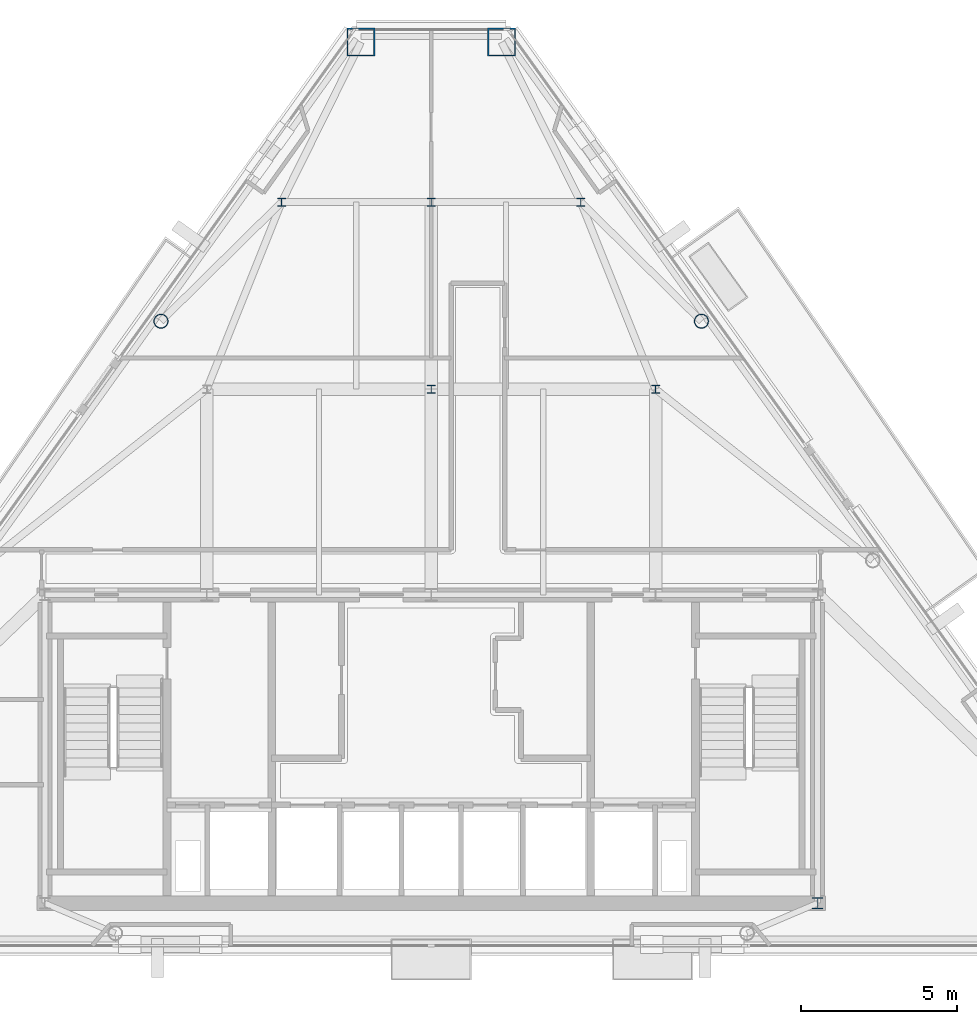
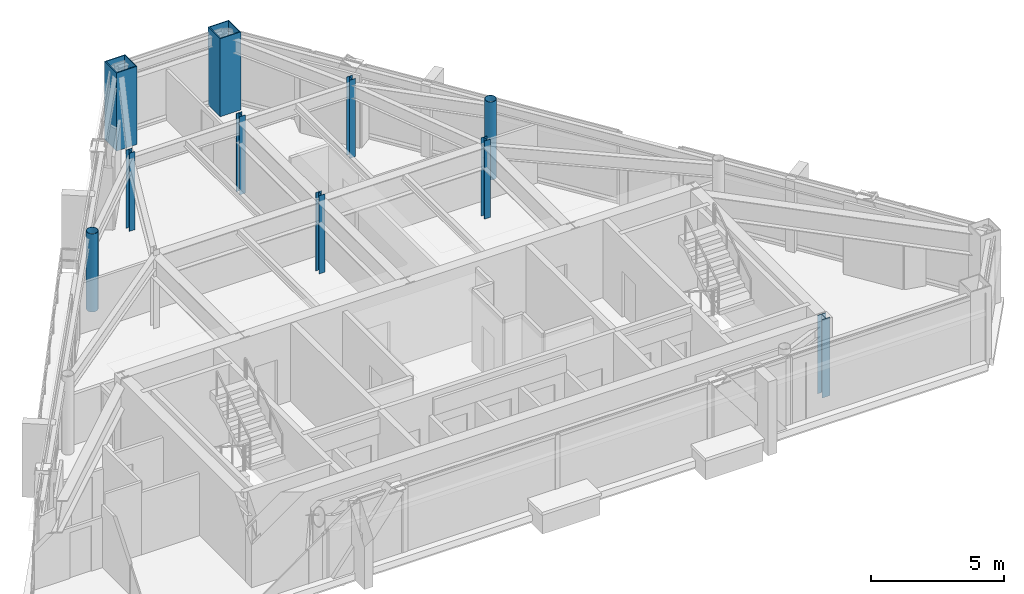
# One storey, part 2 of 12: 10 columns.
"""IFC4 building model written with IfcOpenShell, lengths in metres."""

from ifc_helpers import new_model, si_unit, direction, frame, origin, origin_2d, place, context, subcontext, project, spatial, hollow_rectangle, hollow_circle, i_section, extrude, material, material_profile, profile_set, type_object, element, save


model = new_model("IFC4")

# Units and contexts
model_context = context("Model", 3, precision=1e-05, world=origin(), true_north=direction((0.0, 1.0)))
body_context = subcontext(model_context, "Body", "Model", "MODEL_VIEW")
ifc_project = project(units=[si_unit("LENGTHUNIT", "METRE"), si_unit("AREAUNIT", "SQUARE_METRE"), si_unit("VOLUMEUNIT", "CUBIC_METRE"), si_unit("PLANEANGLEUNIT", "RADIAN"), si_unit("MASSUNIT", "GRAM", prefix="KILO")], contexts=[model_context])

# Site, building, storey
site_placement = place(None, origin())
site = spatial("IfcSite", under=ifc_project, at=site_placement, CompositionType="ELEMENT")
building_placement = place(site_placement, origin())
building = spatial("IfcBuilding", under=site, at=building_placement, Name="Talgorran Terracotta Tower", CompositionType="ELEMENT")
storey_placement = place(building_placement, frame((0.0, 0.0, 252.60009765625)))
storey = spatial("IfcBuildingStorey", under=building, at=storey_placement, Name="L66", CompositionType="ELEMENT", Elevation=252.60009765625)

# Columns
ifc_material_1 = material(Name="Steel S355 (300PLUS)", Category="steel")
ifc_material_profile_1 = material_profile(ifc_material_1, i_section(OverallWidth=0.256103515625, OverallDepth=0.260009765625, WebThickness=0.010498046875, FlangeThickness=0.017333984375, at=origin_2d()), Name="250UC89.5")
ifc_profile_set_1 = profile_set([ifc_material_profile_1], Name="Steel S355 (300PLUS)")
column_type_1 = type_object("IfcColumnType", Name="COL_250UC89", PredefinedType="COLUMN", material=ifc_profile_set_1)
for number, where, z_axis, x_axis, name in (
    (1, (0.0, 2.39990234375, 0.0), (0.0, 0.0, 1.0), (1.0, 0.0, 0.0), "L66 Interior Gravity Column IC2"),
    (2, (7.199951171875, 2.39990234375, 0.0), (0.0, 0.0, 1.0), (1.0, 0.0, 0.0), "L66 Interior Gravity Column IC3"),
    (3, (-4.800048828125, 8.39990234375, 0.0), (0.0, 0.0, 1.0), (1.0, 0.0, 0.0), "L66 Interior Gravity Column IC4"),
    (4, (0.0, 8.39990234375, 0.0), (0.0, 0.0, 1.0), (1.0, 0.0, 0.0), "L66 Interior Gravity Column IC5"),
    (5, (4.800048828125, 8.39990234375, 0.0), (0.0, 0.0, 1.0), (1.0, 0.0, 0.0), "L66 Interior Gravity Column IC6"),
):
    element("IfcColumn", number, at=place(storey_placement, frame(where, z_axis=z_axis, x_axis=x_axis)), inside=storey, type_object=column_type_1, Name=name, PredefinedType="COLUMN", context=body_context, shape_type="SweptSolid", body=[
        extrude(i_section(OverallWidth=0.256103515625, OverallDepth=0.260009765625, WebThickness=0.010498046875, FlangeThickness=0.017333984375, at=origin_2d()), origin(), (0.0, 0.0, 1.0), 3.599853515625),
    ])
ifc_material_profile_2 = material_profile(ifc_material_1, i_section(OverallWidth=0.35205078125, OverallDepth=0.35888671875, WebThickness=0.01806640625, FlangeThickness=0.02587890625, at=origin_2d()), Name="350WC197")
ifc_profile_set_2 = profile_set([ifc_material_profile_2], Name="Steel S355 (300PLUS)")
column_type_2 = type_object("IfcColumnType", Name="COL_350WC197", PredefinedType="COLUMN", material=ifc_profile_set_2)
column_placement = place(storey_placement, frame((12.39990234375, -14.10009765625, 0.0), z_axis=(0.0, 0.0, 1.0), x_axis=(1.0, 0.0, 0.0)))
element("IfcColumn", 6, at=column_placement, inside=storey, type_object=column_type_2, Name="L66 Core Boundary Column CC2", PredefinedType="COLUMN", context=body_context, shape_type="SweptSolid", body=[
    extrude(i_section(OverallWidth=0.35205078125, OverallDepth=0.35888671875, WebThickness=0.01806640625, FlangeThickness=0.02587890625, at=origin_2d()), origin(), (0.0, 0.0, 1.0), 3.599853515625),
])
ifc_material_2 = material(Name="Steel Grade 350 (350L0)", Category="steel")
ifc_material_profile_3 = material_profile(ifc_material_2, hollow_rectangle(XDim=0.89990234375, YDim=0.89990234375, WallThickness=0.0400390625, at=origin_2d()), Name="CFT900X900X40")
ifc_profile_set_3 = profile_set([ifc_material_profile_3], Name="Steel Grade 350 (350L0)")
column_type_3 = type_object("IfcColumnType", Name="COL_CFT_900", PredefinedType="COLUMN", material=ifc_profile_set_3)
for number, where, z_axis, x_axis, name in (
    (7, (2.258056640625, 13.53662109375, 0.0), (0.0, 0.0, 1.0), (1.0, 0.0, 0.0), "L66 Corner CFT Mega-Column MC5"),
    (8, (-2.258056640625, 13.53662109375, 0.0), (0.0, 0.0, 1.0), (1.0, 0.0, 0.0), "L66 Corner CFT Mega-Column MC6"),
):
    element("IfcColumn", number, at=place(storey_placement, frame(where, z_axis=z_axis, x_axis=x_axis)), inside=storey, type_object=column_type_3, Name=name, PredefinedType="COLUMN", context=body_context, shape_type="SweptSolid", body=[
        extrude(hollow_rectangle(XDim=0.89990234375, YDim=0.89990234375, WallThickness=0.0400390625, at=origin_2d()), origin(), (0.0, 0.0, 1.0), 3.599853515625),
    ])
ifc_material_3 = material(Name="Steel S350 (C350L0)", Category="steel")
ifc_material_profile_4 = material_profile(ifc_material_3, hollow_circle(Radius=0.228515625, WallThickness=0.01611328125, at=origin_2d()), Name="CHS457X16")
ifc_profile_set_4 = profile_set([ifc_material_profile_4], Name="Steel S350 (C350L0)")
column_type_4 = type_object("IfcColumnType", Name="COL_CHS_457", PredefinedType="COLUMN", material=ifc_profile_set_4)
for number, where, z_axis, x_axis, name in (
    (9, (8.672607421875, 4.5791015625, 0.0), (0.0, 0.0, 1.0), (1.0, 0.0, 0.0), "L66 Facet Perimeter Column FC4"),
    (10, (-8.672607421875, 4.5791015625, 0.0), (0.0, 0.0, 1.0), (1.0, 0.0, 0.0), "L66 Facet Perimeter Column FC5"),
):
    element("IfcColumn", number, at=place(storey_placement, frame(where, z_axis=z_axis, x_axis=x_axis)), inside=storey, type_object=column_type_4, Name=name, PredefinedType="COLUMN", context=body_context, shape_type="SweptSolid", body=[
        extrude(hollow_circle(Radius=0.228515625, WallThickness=0.01611328125, at=origin_2d()), origin(), (0.0, 0.0, 1.0), 3.599853515625),
    ])

save(model, "model.ifc")
